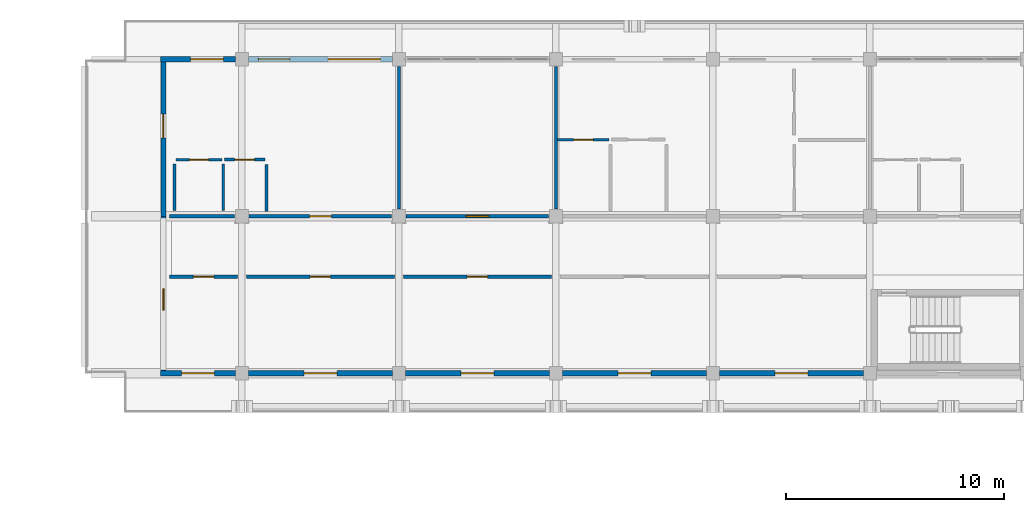
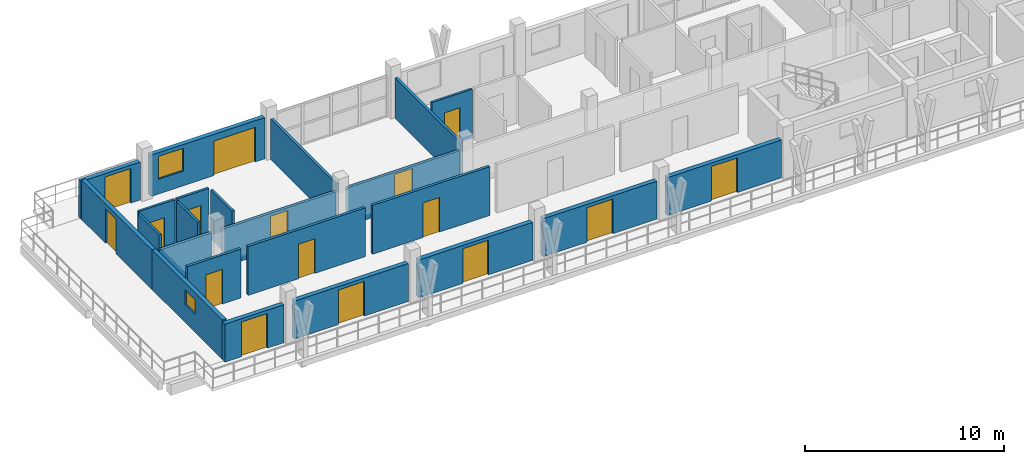
# One storey, part 38 of 67: 23 walls, 16 doors, 2 windows, 18 openings.
"""IFC4 building model written with IfcOpenShell, lengths in metres."""

from ifc_helpers import new_model, si_unit, direction, frame, frame_2d, origin, place, context, subcontext, project, spatial, rectangle, extrude, material, layer, layer_set, type_object, element, fill, save


model = new_model("IFC4")

# Units and contexts
model_context = context("Model", 3, precision=1e-05, world=origin(), true_north=direction((0.0, 1.0)))
body_context = subcontext(model_context, "Body", "Model", "MODEL_VIEW")
ifc_project = project(units=[si_unit("LENGTHUNIT", "METRE"), si_unit("AREAUNIT", "SQUARE_METRE"), si_unit("VOLUMEUNIT", "CUBIC_METRE"), si_unit("PLANEANGLEUNIT", "RADIAN"), si_unit("MASSUNIT", "GRAM", prefix="KILO")], contexts=[model_context])

# Site, building, storey
site_placement = place(None, origin())
site = spatial("IfcSite", under=ifc_project, at=site_placement, CompositionType="ELEMENT")
building_placement = place(site_placement, origin())
building = spatial("IfcBuilding", under=site, at=building_placement, Name="Suanplinth Sawtooth Commons", CompositionType="ELEMENT")
storey_placement = place(building_placement, frame((0.0, 0.0, 25.10009765625)))
storey = spatial("IfcBuildingStorey", under=building, at=storey_placement, Name="L07", CompositionType="ELEMENT", Elevation=25.10009765625)

# Wall, opening, door
ifc_material_1 = material(Name="Precast concrete C40/50", Category="concrete")
ifc_layer_1 = layer(ifc_material_1, 0.260009765625, Name="Insulated precast courtyard facade wall 260mm")
ifc_layer_set_1 = layer_set([ifc_layer_1], Name="Precast concrete C40/50")
wall_type_1 = type_object("IfcWallType", Name="W-EX02", PredefinedType="ELEMENTEDWALL", material=ifc_layer_set_1)
wall_1_placement = place(storey_placement, frame((10.669921875, 122.39990234375, 0.0), z_axis=(0.0, 0.0, 1.0), x_axis=(1.0, 0.0, 0.0)))
wall_1 = element("IfcWall", 1, at=wall_1_placement, inside=storey, type_object=wall_type_1, Name="Facade Wall W-L07-A-N-0", PredefinedType="ELEMENTEDWALL", context=body_context, shape_type="SweptSolid", body=[
    extrude(rectangle(XDim=3.43017578125, YDim=0.260009765625, at=frame_2d((1.715087890625, 0.0))), origin(), (0.0, 0.0, 1.0), 2.324951171875),
])
opening_1_placement = place(wall_1_placement, frame((1.3798828125, 0.0, 0.0)))
opening_1 = element("IfcOpeningElement", 2, at=opening_1_placement, cuts=wall_1, Name="Opening ED0551", PredefinedType="OPENING", context=body_context, shape_type="SweptSolid", body=[
    extrude(rectangle(XDim=1.5, YDim=2.1201171875, at=frame_2d((0.75, 1.06005859375))), frame((0.0, 0.14501953125, 0.0), z_axis=(0.0, -1.0, 0.0), x_axis=(1.0, 0.0, 0.0)), (0.0, 0.0, 1.0), 0.289794921875),
])
ifc_material_2 = material(Name="Anodized aluminium and low-E glass", Category="aluminium")
door_type_1 = type_object("IfcDoorType", Name="SD-03", OperationType="SLIDING_TO_LEFT", PredefinedType="DOOR", material=ifc_material_2)
door_1_placement = place(opening_1_placement, frame((1.5, 0.0, 0.0), z_axis=(0.0, 0.0, 1.0), x_axis=(-1.0, 0.0, 0.0)))
door_1 = element("IfcDoor", 3, at=door_1_placement, inside=storey, type_object=door_type_1, Name="Balcony Sliding Door L07-A-N-0", OperationType="SLIDING_TO_LEFT", OverallHeight=2.1201171875, OverallWidth=1.5, PredefinedType="DOOR", context=body_context, shape_type="SweptSolid", body=[
    extrude(rectangle(XDim=1.5, YDim=2.1201171875, at=frame_2d((0.75, 1.06005859375))), frame((0.0, 0.02490234375, 0.0), z_axis=(0.0, -1.0, 0.0), x_axis=(1.0, 0.0, 0.0)), (0.0, 0.0, 1.0), 0.050048828125),
])
fill(opening_1, door_1)

wall_2_placement = place(storey_placement, frame((10.669921875, 108.0, 0.0), z_axis=(0.0, 0.0, 1.0), x_axis=(1.0, 0.0, 0.0)))
wall_2 = element("IfcWall", 4, at=wall_2_placement, inside=storey, type_object=wall_type_1, Name="Courtyard Wall W-L07-A-S-0", PredefinedType="ELEMENTEDWALL", context=body_context, shape_type="SweptSolid", body=[
    extrude(rectangle(XDim=3.43017578125, YDim=0.260009765625, at=frame_2d((1.715087890625, 0.0))), origin(), (0.0, 0.0, 1.0), 2.324951171875),
])
opening_2_placement = place(wall_2_placement, frame((0.965087890625, 0.0, 0.0)))
opening_2 = element("IfcOpeningElement", 5, at=opening_2_placement, cuts=wall_2, Name="Opening ED0552", PredefinedType="OPENING", context=body_context, shape_type="SweptSolid", body=[
    extrude(rectangle(XDim=1.5, YDim=2.1201171875, at=frame_2d((0.75, 1.06005859375))), frame((0.0, 0.14501953125, 0.0), z_axis=(0.0, -1.0, 0.0), x_axis=(1.0, 0.0, 0.0)), (0.0, 0.0, 1.0), 0.289794921875),
])
door_2_placement = place(opening_2_placement, frame((1.5, 0.0, 0.0), z_axis=(0.0, 0.0, 1.0), x_axis=(-1.0, 0.0, 0.0)))
door_2 = element("IfcDoor", 6, at=door_2_placement, inside=storey, type_object=door_type_1, Name="Courtyard Balcony Sliding Door L07-A-S-0", OperationType="SLIDING_TO_LEFT", OverallHeight=2.1201171875, OverallWidth=1.5, PredefinedType="DOOR", context=body_context, shape_type="SweptSolid", body=[
    extrude(rectangle(XDim=1.5, YDim=2.1201171875, at=frame_2d((0.75, 1.06005859375))), frame((0.0, 0.02490234375, 0.0), z_axis=(0.0, -1.0, 0.0), x_axis=(1.0, 0.0, 0.0)), (0.0, 0.0, 1.0), 0.050048828125),
])
fill(opening_2, door_2)

# Wall, openings, door, window
wall_3_placement = place(storey_placement, frame((14.699951171875, 122.39990234375, 0.0), z_axis=(0.0, 0.0, 1.0), x_axis=(1.0, 0.0, 0.0)))
wall_3 = element("IfcWall", 7, at=wall_3_placement, inside=storey, type_object=wall_type_1, Name="Facade Wall W-L07-A-N-1", PredefinedType="ELEMENTEDWALL", context=body_context, shape_type="SweptSolid", body=[
    extrude(rectangle(XDim=6.60009765625, YDim=0.260009765625, at=frame_2d((3.300048828125, 0.0))), origin(), (0.0, 0.0, 1.0), 2.52490234375),
])
opening_3_placement = place(wall_3_placement, frame((3.64990234375, 0.0, 0.0)))
opening_3 = element("IfcOpeningElement", 8, at=opening_3_placement, cuts=wall_3, Name="Opening ED0553", PredefinedType="OPENING", context=body_context, shape_type="SweptSolid", body=[
    extrude(rectangle(XDim=2.39990234375, YDim=2.1201171875, at=frame_2d((1.199951171875, 1.06005859375))), frame((0.0, 0.14501953125, 0.0), z_axis=(0.0, -1.0, 0.0), x_axis=(1.0, 0.0, 0.0)), (0.0, 0.0, 1.0), 0.289794921875),
])
opening_4_placement = place(wall_3_placement, frame((0.449951171875, 0.0, 0.89990234375)))
opening_4 = element("IfcOpeningElement", 9, at=opening_4_placement, cuts=wall_3, Name="Opening W0638", PredefinedType="OPENING", context=body_context, shape_type="SweptSolid", body=[
    extrude(rectangle(XDim=1.449951171875, YDim=1.39990234375, at=frame_2d((0.72509765625, 0.699951171875))), frame((0.0, 0.14501953125, 0.0), z_axis=(0.0, -1.0, 0.0), x_axis=(1.0, 0.0, 0.0)), (0.0, 0.0, 1.0), 0.289794921875),
])
door_type_2 = type_object("IfcDoorType", Name="SD-04", OperationType="DOUBLE_DOOR_SLIDING", PredefinedType="DOOR", material=ifc_material_2)
door_3_placement = place(opening_3_placement, frame((2.39990234375, 0.0, 0.0), z_axis=(0.0, 0.0, 1.0), x_axis=(-1.0, 0.0, 0.0)))
door_3 = element("IfcDoor", 10, at=door_3_placement, inside=storey, type_object=door_type_2, Name="Balcony Sliding Door L07-A-N-1", OperationType="DOUBLE_DOOR_SLIDING", OverallHeight=2.1201171875, OverallWidth=2.39990234375, PredefinedType="DOOR", context=body_context, shape_type="SweptSolid", body=[
    extrude(rectangle(XDim=2.39990234375, YDim=2.1201171875, at=frame_2d((1.199951171875, 1.06005859375))), frame((0.0, 0.02490234375, 0.0), z_axis=(0.0, -1.0, 0.0), x_axis=(1.0, 0.0, 0.0)), (0.0, 0.0, 1.0), 0.050048828125),
])
fill(opening_3, door_3)
ifc_material_3 = material(Name="Thermally broken aluminium and low-E double glazing", Category="aluminium")
window_type_1 = type_object("IfcWindowType", Name="WN-16", PartitioningType="DOUBLE_PANEL_VERTICAL", PredefinedType="WINDOW", material=ifc_material_3)
window_1_placement = place(opening_4_placement, origin())
window_1 = element("IfcWindow", 11, at=window_1_placement, inside=storey, type_object=window_type_1, Name="Window L07-A-N-1", OverallHeight=1.39990234375, OverallWidth=1.449951171875, PartitioningType="DOUBLE_PANEL_VERTICAL", PredefinedType="WINDOW", context=body_context, shape_type="SweptSolid", body=[
    extrude(rectangle(XDim=1.449951171875, YDim=1.39990234375, at=frame_2d((0.72509765625, 0.699951171875))), frame((0.0, 0.030029296875, 0.0), z_axis=(0.0, -1.0, 0.0), x_axis=(1.0, 0.0, 0.0)), (0.0, 0.0, 1.0), 0.06005859375),
])
fill(opening_4, window_1)

# Wall, opening, door
wall_4_placement = place(storey_placement, frame((14.699951171875, 108.0, 0.0), z_axis=(0.0, 0.0, 1.0), x_axis=(1.0, 0.0, 0.0)))
wall_4 = element("IfcWall", 12, at=wall_4_placement, inside=storey, type_object=wall_type_1, Name="Courtyard Wall W-L07-A-S-1", PredefinedType="ELEMENTEDWALL", context=body_context, shape_type="SweptSolid", body=[
    extrude(rectangle(XDim=6.60009765625, YDim=0.260009765625, at=frame_2d((3.300048828125, 0.0))), origin(), (0.0, 0.0, 1.0), 2.324951171875),
])
opening_5_placement = place(wall_4_placement, frame((2.550048828125, 0.0, 0.0)))
opening_5 = element("IfcOpeningElement", 13, at=opening_5_placement, cuts=wall_4, Name="Opening ED0554", PredefinedType="OPENING", context=body_context, shape_type="SweptSolid", body=[
    extrude(rectangle(XDim=1.5, YDim=2.1201171875, at=frame_2d((0.75, 1.06005859375))), frame((0.0, 0.14501953125, 0.0), z_axis=(0.0, -1.0, 0.0), x_axis=(1.0, 0.0, 0.0)), (0.0, 0.0, 1.0), 0.289794921875),
])
door_4_placement = place(opening_5_placement, frame((1.5, 0.0, 0.0), z_axis=(0.0, 0.0, 1.0), x_axis=(-1.0, 0.0, 0.0)))
door_4 = element("IfcDoor", 14, at=door_4_placement, inside=storey, type_object=door_type_1, Name="Courtyard Balcony Sliding Door L07-A-S-1", OperationType="SLIDING_TO_LEFT", OverallHeight=2.1201171875, OverallWidth=1.5, PredefinedType="DOOR", context=body_context, shape_type="SweptSolid", body=[
    extrude(rectangle(XDim=1.5, YDim=2.1201171875, at=frame_2d((0.75, 1.06005859375))), frame((0.0, 0.02490234375, 0.0), z_axis=(0.0, -1.0, 0.0), x_axis=(1.0, 0.0, 0.0)), (0.0, 0.0, 1.0), 0.050048828125),
])
fill(opening_5, door_4)

wall_5_placement = place(storey_placement, frame((21.89990234375, 108.0, 0.0), z_axis=(0.0, 0.0, 1.0), x_axis=(1.0, 0.0, 0.0)))
wall_5 = element("IfcWall", 15, at=wall_5_placement, inside=storey, type_object=wall_type_1, Name="Courtyard Wall W-L07-A-S-2", PredefinedType="ELEMENTEDWALL", context=body_context, shape_type="SweptSolid", body=[
    extrude(rectangle(XDim=6.60009765625, YDim=0.260009765625, at=frame_2d((3.300048828125, 0.0))), origin(), (0.0, 0.0, 1.0), 2.324951171875),
])
opening_6_placement = place(wall_5_placement, frame((2.550048828125, 0.0, 0.0)))
opening_6 = element("IfcOpeningElement", 16, at=opening_6_placement, cuts=wall_5, Name="Opening ED0555", PredefinedType="OPENING", context=body_context, shape_type="SweptSolid", body=[
    extrude(rectangle(XDim=1.5, YDim=2.1201171875, at=frame_2d((0.75, 1.06005859375))), frame((0.0, 0.14501953125, 0.0), z_axis=(0.0, -1.0, 0.0), x_axis=(1.0, 0.0, 0.0)), (0.0, 0.0, 1.0), 0.289794921875),
])
door_5_placement = place(opening_6_placement, frame((1.5, 0.0, 0.0), z_axis=(0.0, 0.0, 1.0), x_axis=(-1.0, 0.0, 0.0)))
door_5 = element("IfcDoor", 17, at=door_5_placement, inside=storey, type_object=door_type_1, Name="Courtyard Balcony Sliding Door L07-A-S-2", OperationType="SLIDING_TO_LEFT", OverallHeight=2.1201171875, OverallWidth=1.5, PredefinedType="DOOR", context=body_context, shape_type="SweptSolid", body=[
    extrude(rectangle(XDim=1.5, YDim=2.1201171875, at=frame_2d((0.75, 1.06005859375))), frame((0.0, 0.02490234375, 0.0), z_axis=(0.0, -1.0, 0.0), x_axis=(1.0, 0.0, 0.0)), (0.0, 0.0, 1.0), 0.050048828125),
])
fill(opening_6, door_5)

wall_6_placement = place(storey_placement, frame((29.10009765625, 108.0, 0.0), z_axis=(0.0, 0.0, 1.0), x_axis=(1.0, 0.0, 0.0)))
wall_6 = element("IfcWall", 18, at=wall_6_placement, inside=storey, type_object=wall_type_1, Name="Courtyard Wall W-L07-A-S-3", PredefinedType="ELEMENTEDWALL", context=body_context, shape_type="SweptSolid", body=[
    extrude(rectangle(XDim=6.599853515625, YDim=0.260009765625, at=frame_2d((3.2998046875, 0.0))), origin(), (0.0, 0.0, 1.0), 2.324951171875),
])
opening_7_placement = place(wall_6_placement, frame((2.550048828125, 0.0, 0.0)))
opening_7 = element("IfcOpeningElement", 19, at=opening_7_placement, cuts=wall_6, Name="Opening ED0557", PredefinedType="OPENING", context=body_context, shape_type="SweptSolid", body=[
    extrude(rectangle(XDim=1.5, YDim=2.1201171875, at=frame_2d((0.75, 1.06005859375))), frame((0.0, 0.14501953125, 0.0), z_axis=(0.0, -1.0, 0.0), x_axis=(1.0, 0.0, 0.0)), (0.0, 0.0, 1.0), 0.289794921875),
])
door_6_placement = place(opening_7_placement, frame((1.5, 0.0, 0.0), z_axis=(0.0, 0.0, 1.0), x_axis=(-1.0, 0.0, 0.0)))
door_6 = element("IfcDoor", 20, at=door_6_placement, inside=storey, type_object=door_type_1, Name="Courtyard Balcony Sliding Door L07-A-S-3", OperationType="SLIDING_TO_LEFT", OverallHeight=2.1201171875, OverallWidth=1.5, PredefinedType="DOOR", context=body_context, shape_type="SweptSolid", body=[
    extrude(rectangle(XDim=1.5, YDim=2.1201171875, at=frame_2d((0.75, 1.06005859375))), frame((0.0, 0.02490234375, 0.0), z_axis=(0.0, -1.0, 0.0), x_axis=(1.0, 0.0, 0.0)), (0.0, 0.0, 1.0), 0.050048828125),
])
fill(opening_7, door_6)

wall_7_placement = place(storey_placement, frame((36.300048828125, 108.0, 0.0), z_axis=(0.0, 0.0, 1.0), x_axis=(1.0, 0.0, 0.0)))
wall_7 = element("IfcWall", 21, at=wall_7_placement, inside=storey, type_object=wall_type_1, Name="Courtyard Wall W-L07-A-S-4", PredefinedType="ELEMENTEDWALL", context=body_context, shape_type="SweptSolid", body=[
    extrude(rectangle(XDim=6.599853515625, YDim=0.260009765625, at=frame_2d((3.2998046875, 0.0))), origin(), (0.0, 0.0, 1.0), 2.324951171875),
])
opening_8_placement = place(wall_7_placement, frame((2.550048828125, 0.0, 0.0)))
opening_8 = element("IfcOpeningElement", 22, at=opening_8_placement, cuts=wall_7, Name="Opening ED0559", PredefinedType="OPENING", context=body_context, shape_type="SweptSolid", body=[
    extrude(rectangle(XDim=1.5, YDim=2.1201171875, at=frame_2d((0.75, 1.06005859375))), frame((0.0, 0.14501953125, 0.0), z_axis=(0.0, -1.0, 0.0), x_axis=(1.0, 0.0, 0.0)), (0.0, 0.0, 1.0), 0.289794921875),
])
door_7_placement = place(opening_8_placement, frame((1.5, 0.0, 0.0), z_axis=(0.0, 0.0, 1.0), x_axis=(-1.0, 0.0, 0.0)))
door_7 = element("IfcDoor", 23, at=door_7_placement, inside=storey, type_object=door_type_1, Name="Courtyard Balcony Sliding Door L07-A-S-4", OperationType="SLIDING_TO_LEFT", OverallHeight=2.1201171875, OverallWidth=1.5, PredefinedType="DOOR", context=body_context, shape_type="SweptSolid", body=[
    extrude(rectangle(XDim=1.5, YDim=2.1201171875, at=frame_2d((0.75, 1.06005859375))), frame((0.0, 0.02490234375, 0.0), z_axis=(0.0, -1.0, 0.0), x_axis=(1.0, 0.0, 0.0)), (0.0, 0.0, 1.0), 0.050048828125),
])
fill(opening_8, door_7)

# Wall, opening, window
ifc_layer_2 = layer(ifc_material_1, 0.22998046875, Name="Stepped terrace insulated precast wall 230mm")
ifc_layer_set_2 = layer_set([ifc_layer_2], Name="Precast concrete C40/50")
wall_type_2 = type_object("IfcWallType", Name="W-EX06", PredefinedType="ELEMENTEDWALL", material=ifc_layer_set_2)
wall_8_placement = place(storey_placement, frame((10.800048828125, 108.1298828125, 0.0), z_axis=(0.0, 0.0, 1.0), x_axis=(0.0, 1.0, 0.0)))
wall_8 = element("IfcWall", 24, at=wall_8_placement, inside=storey, type_object=wall_type_2, Name="End Wall W-L07-A-W-15", PredefinedType="ELEMENTEDWALL", context=body_context, shape_type="SweptSolid", body=[
    extrude(rectangle(XDim=7.070068359375, YDim=0.22998046875, at=frame_2d((3.53515625, 0.0))), origin(), (0.0, 0.0, 1.0), 2.4248046875),
])
opening_9_placement = place(wall_8_placement, frame((2.75, 0.0, 1.10009765625)))
opening_9 = element("IfcOpeningElement", 25, at=opening_9_placement, cuts=wall_8, Name="Opening W0650", PredefinedType="OPENING", context=body_context, shape_type="SweptSolid", body=[
    extrude(rectangle(XDim=1.0, YDim=0.89990234375, at=frame_2d((0.5, 0.449951171875))), frame((0.0, 0.1298828125, 0.0), z_axis=(0.0, -1.0, 0.0), x_axis=(1.0, 0.0, 0.0)), (0.0, 0.0, 1.0), 0.259765625),
])
window_type_2 = type_object("IfcWindowType", Name="WN-12", PartitioningType="SINGLE_PANEL", PredefinedType="WINDOW", material=ifc_material_3)
window_2_placement = place(opening_9_placement, origin())
window_2 = element("IfcWindow", 26, at=window_2_placement, inside=storey, type_object=window_type_2, Name="End Window L07-A-W-15", OverallHeight=0.89990234375, OverallWidth=1.0, PartitioningType="SINGLE_PANEL", PredefinedType="WINDOW", context=body_context, shape_type="SweptSolid", body=[
    extrude(rectangle(XDim=1.0, YDim=0.89990234375, at=frame_2d((0.5, 0.449951171875))), frame((0.0, 0.030029296875, 0.0), z_axis=(0.0, -1.0, 0.0), x_axis=(1.0, 0.0, 0.0)), (0.0, 0.0, 1.0), 0.06005859375),
])
fill(opening_9, window_2)

# Wall, opening, door
wall_9_placement = place(storey_placement, frame((10.800048828125, 115.199951171875, 0.0), z_axis=(0.0, 0.0, 1.0), x_axis=(0.0, 1.0, 0.0)))
wall_9 = element("IfcWall", 27, at=wall_9_placement, inside=storey, type_object=wall_type_2, Name="End Wall W-L07-A-W-16", PredefinedType="ELEMENTEDWALL", context=body_context, shape_type="SweptSolid", body=[
    extrude(rectangle(XDim=7.070068359375, YDim=0.22998046875, at=frame_2d((3.53515625, 0.0))), origin(), (0.0, 0.0, 1.0), 2.4248046875),
])
opening_10_placement = place(wall_9_placement, frame((3.60009765625, 0.0, 0.0)))
opening_10 = element("IfcOpeningElement", 28, at=opening_10_placement, cuts=wall_9, Name="Opening ED0571", PredefinedType="OPENING", context=body_context, shape_type="SweptSolid", body=[
    extrude(rectangle(XDim=1.080078125, YDim=2.1201171875, at=frame_2d((0.5400390625, 1.06005859375))), frame((0.0, 0.1298828125, 0.0), z_axis=(0.0, -1.0, 0.0), x_axis=(1.0, 0.0, 0.0)), (0.0, 0.0, 1.0), 0.259765625),
])
door_type_3 = type_object("IfcDoorType", Name="ED-10", OperationType="NOTDEFINED", PredefinedType="DOOR", material=ifc_material_2)
door_8_placement = place(opening_10_placement, frame((1.080078125, 0.0, 0.0), z_axis=(0.0, 0.0, 1.0), x_axis=(-1.0, 0.0, 0.0)))
door_8 = element("IfcDoor", 29, at=door_8_placement, inside=storey, type_object=door_type_3, Name="L07 Block A W Stepped Terrace Door", OperationType="SINGLE_SWING_RIGHT", OverallHeight=2.1201171875, OverallWidth=1.080078125, PredefinedType="DOOR", context=body_context, shape_type="SweptSolid", body=[
    extrude(rectangle(XDim=1.080078125, YDim=2.1201171875, at=frame_2d((0.5400390625, 1.06005859375))), frame((0.0, 0.02490234375, 0.0), z_axis=(0.0, -1.0, 0.0), x_axis=(1.0, 0.0, 0.0)), (0.0, 0.0, 1.0), 0.050048828125),
])
fill(opening_10, door_8)

# Wall
ifc_layer_3 = layer(ifc_material_1, 0.159912109375, Name="Fire-rated corridor and lobby wall 160mm")
ifc_layer_set_3 = layer_set([ifc_layer_3], Name="Precast concrete C40/50")
wall_type_3 = type_object("IfcWallType", Name="W-FW01", PredefinedType="PARTITIONING", material=ifc_layer_set_3)
wall_10_placement = place(storey_placement, frame((11.080078125, 115.199951171875, 0.0), z_axis=(0.0, 0.0, 1.0), x_axis=(1.0, 0.0, 0.0)))
element("IfcWall", 30, at=wall_10_placement, inside=storey, type_object=wall_type_3, Name="W-A-L07-U01-COR-S1", PredefinedType="PARTITIONING", context=body_context, shape_type="SweptSolid", body=[
    extrude(rectangle(XDim=2.989990234375, YDim=0.159912109375, at=frame_2d((1.4951171875, 0.0))), origin(), (0.0, 0.0, 1.0), 2.324951171875),
])

# Wall, opening, door
wall_11_placement = place(storey_placement, frame((14.72998046875, 115.199951171875, 0.0), z_axis=(0.0, 0.0, 1.0), x_axis=(1.0, 0.0, 0.0)))
wall_11 = element("IfcWall", 31, at=wall_11_placement, inside=storey, type_object=wall_type_3, Name="W-A-L07-U01-COR-S2", PredefinedType="PARTITIONING", context=body_context, shape_type="SweptSolid", body=[
    extrude(rectangle(XDim=6.5400390625, YDim=0.159912109375, at=frame_2d((3.27001953125, 0.0))), origin(), (0.0, 0.0, 1.0), 2.324951171875),
])
opening_11_placement = place(wall_11_placement, frame((2.77001953125, 0.0, 0.0)))
opening_11 = element("IfcOpeningElement", 32, at=opening_11_placement, cuts=wall_11, Name="Opening FD1501", PredefinedType="OPENING", context=body_context, shape_type="SweptSolid", body=[
    extrude(rectangle(XDim=1.0, YDim=2.14990234375, at=frame_2d((0.5, 1.074951171875))), frame((0.0, 0.0947265625, 0.0), z_axis=(0.0, -1.0, 0.0), x_axis=(1.0, 0.0, 0.0)), (0.0, 0.0, 1.0), 0.189697265625),
])
ifc_material_4 = material(Name="Teak hardwood fire-rated door assembly", Category="wood")
door_type_4 = type_object("IfcDoorType", Name="FD-03", OperationType="NOTDEFINED", PredefinedType="DOOR", material=ifc_material_4)
door_9_placement = place(opening_11_placement, origin())
door_9 = element("IfcDoor", 33, at=door_9_placement, inside=storey, type_object=door_type_4, Name="Unit Entrance Door FD1501", OperationType="SINGLE_SWING_LEFT", OverallHeight=2.14990234375, OverallWidth=1.0, PredefinedType="DOOR", context=body_context, shape_type="SweptSolid", body=[
    extrude(rectangle(XDim=1.0, YDim=2.14990234375, at=frame_2d((0.5, 1.074951171875))), frame((0.0, 0.02490234375, 0.0), z_axis=(0.0, -1.0, 0.0), x_axis=(1.0, 0.0, 0.0)), (0.0, 0.0, 1.0), 0.050048828125),
])
fill(opening_11, door_9)

wall_12_placement = place(storey_placement, frame((21.929931640625, 115.199951171875, 0.0), z_axis=(0.0, 0.0, 1.0), x_axis=(1.0, 0.0, 0.0)))
wall_12 = element("IfcWall", 34, at=wall_12_placement, inside=storey, type_object=wall_type_3, Name="W-A-L07-U02-COR", PredefinedType="PARTITIONING", context=body_context, shape_type="SweptSolid", body=[
    extrude(rectangle(XDim=6.5400390625, YDim=0.159912109375, at=frame_2d((3.27001953125, 0.0))), origin(), (0.0, 0.0, 1.0), 2.324951171875),
])
opening_12_placement = place(wall_12_placement, frame((2.7451171875, 0.0, 0.0)))
opening_12 = element("IfcOpeningElement", 35, at=opening_12_placement, cuts=wall_12, Name="Opening D1504", PredefinedType="OPENING", context=body_context, shape_type="SweptSolid", body=[
    extrude(rectangle(XDim=1.050048828125, YDim=2.199951171875, at=frame_2d((0.52490234375, 1.10009765625))), frame((0.0, 0.0947265625, 0.0), z_axis=(0.0, -1.0, 0.0), x_axis=(1.0, 0.0, 0.0)), (0.0, 0.0, 1.0), 0.189697265625),
])
ifc_material_5 = material(Name="Teak hardwood", Category="wood")
door_type_5 = type_object("IfcDoorType", Name="D-05", OperationType="NOTDEFINED", PredefinedType="DOOR", material=ifc_material_5)
door_10_placement = place(opening_12_placement, origin())
door_10 = element("IfcDoor", 36, at=door_10_placement, inside=storey, type_object=door_type_5, Name="Unit Entrance Door D1504", OperationType="SINGLE_SWING_RIGHT", OverallHeight=2.199951171875, OverallWidth=1.050048828125, PredefinedType="DOOR", context=body_context, shape_type="SweptSolid", body=[
    extrude(rectangle(XDim=1.050048828125, YDim=2.199951171875, at=frame_2d((0.52490234375, 1.10009765625))), frame((0.0, 0.02490234375, 0.0), z_axis=(0.0, -1.0, 0.0), x_axis=(1.0, 0.0, 0.0)), (0.0, 0.0, 1.0), 0.050048828125),
])
fill(opening_12, door_10)

wall_13_placement = place(storey_placement, frame((11.080078125, 112.419921875, 0.0), z_axis=(0.0, 0.0, 1.0), x_axis=(1.0, 0.0, 0.0)))
wall_13 = element("IfcWall", 37, at=wall_13_placement, inside=storey, type_object=wall_type_3, Name="W-A-L07-COURTROOM-10-COR", PredefinedType="PARTITIONING", context=body_context, shape_type="SweptSolid", body=[
    extrude(rectangle(XDim=3.119873046875, YDim=0.159912109375, at=frame_2d((1.56005859375, 0.0))), origin(), (0.0, 0.0, 1.0), 2.989990234375),
])
opening_13_placement = place(wall_13_placement, frame((1.090087890625, 0.0, 0.0)))
opening_13 = element("IfcOpeningElement", 38, at=opening_13_placement, cuts=wall_13, Name="Opening D1533", PredefinedType="OPENING", context=body_context, shape_type="SweptSolid", body=[
    extrude(rectangle(XDim=0.93994140625, YDim=2.1201171875, at=frame_2d((0.469970703125, 1.06005859375))), frame((0.0, 0.0947265625, 0.0), z_axis=(0.0, -1.0, 0.0), x_axis=(1.0, 0.0, 0.0)), (0.0, 0.0, 1.0), 0.189697265625),
])
door_type_6 = type_object("IfcDoorType", Name="D-15", OperationType="NOTDEFINED", PredefinedType="DOOR", material=ifc_material_5)
door_11_placement = place(opening_13_placement, frame((0.93994140625, 0.0, 0.0), z_axis=(0.0, 0.0, 1.0), x_axis=(-1.0, 0.0, 0.0)))
door_11 = element("IfcDoor", 39, at=door_11_placement, inside=storey, type_object=door_type_6, Name="Study Studio Door D1533", OperationType="SINGLE_SWING_LEFT", OverallHeight=2.1201171875, OverallWidth=0.93994140625, PredefinedType="DOOR", context=body_context, shape_type="SweptSolid", body=[
    extrude(rectangle(XDim=0.93994140625, YDim=2.1201171875, at=frame_2d((0.469970703125, 1.06005859375))), frame((0.0, 0.02490234375, 0.0), z_axis=(0.0, -1.0, 0.0), x_axis=(1.0, 0.0, 0.0)), (0.0, 0.0, 1.0), 0.050048828125),
])
fill(opening_13, door_11)

wall_14_placement = place(storey_placement, frame((14.60009765625, 112.419921875, 0.0), z_axis=(0.0, 0.0, 1.0), x_axis=(1.0, 0.0, 0.0)))
wall_14 = element("IfcWall", 40, at=wall_14_placement, inside=storey, type_object=wall_type_3, Name="W-A-L07-COURTROOM-11-COR", PredefinedType="PARTITIONING", context=body_context, shape_type="SweptSolid", body=[
    extrude(rectangle(XDim=6.7998046875, YDim=0.159912109375, at=frame_2d((3.39990234375, 0.0))), origin(), (0.0, 0.0, 1.0), 2.989990234375),
])
opening_14_placement = place(wall_14_placement, frame((2.929931640625, 0.0, 0.0)))
opening_14 = element("IfcOpeningElement", 41, at=opening_14_placement, cuts=wall_14, Name="Opening D1534", PredefinedType="OPENING", context=body_context, shape_type="SweptSolid", body=[
    extrude(rectangle(XDim=0.93994140625, YDim=2.1201171875, at=frame_2d((0.469970703125, 1.06005859375))), frame((0.0, 0.0947265625, 0.0), z_axis=(0.0, -1.0, 0.0), x_axis=(1.0, 0.0, 0.0)), (0.0, 0.0, 1.0), 0.189697265625),
])
door_12_placement = place(opening_14_placement, frame((0.93994140625, 0.0, 0.0), z_axis=(0.0, 0.0, 1.0), x_axis=(-1.0, 0.0, 0.0)))
door_12 = element("IfcDoor", 42, at=door_12_placement, inside=storey, type_object=door_type_6, Name="Study Studio Door D1534", OperationType="SINGLE_SWING_RIGHT", OverallHeight=2.1201171875, OverallWidth=0.93994140625, PredefinedType="DOOR", context=body_context, shape_type="SweptSolid", body=[
    extrude(rectangle(XDim=0.93994140625, YDim=2.1201171875, at=frame_2d((0.469970703125, 1.06005859375))), frame((0.0, 0.02490234375, 0.0), z_axis=(0.0, -1.0, 0.0), x_axis=(1.0, 0.0, 0.0)), (0.0, 0.0, 1.0), 0.050048828125),
])
fill(opening_14, door_12)

wall_15_placement = place(storey_placement, frame((21.800048828125, 112.419921875, 0.0), z_axis=(0.0, 0.0, 1.0), x_axis=(1.0, 0.0, 0.0)))
wall_15 = element("IfcWall", 43, at=wall_15_placement, inside=storey, type_object=wall_type_3, Name="W-A-L07-COURTROOM-12-COR", PredefinedType="PARTITIONING", context=body_context, shape_type="SweptSolid", body=[
    extrude(rectangle(XDim=6.800048828125, YDim=0.159912109375, at=frame_2d((3.39990234375, 0.0))), origin(), (0.0, 0.0, 1.0), 2.989990234375),
])
opening_15_placement = place(wall_15_placement, frame((2.929931640625, 0.0, 0.0)))
opening_15 = element("IfcOpeningElement", 44, at=opening_15_placement, cuts=wall_15, Name="Opening D1535", PredefinedType="OPENING", context=body_context, shape_type="SweptSolid", body=[
    extrude(rectangle(XDim=0.93994140625, YDim=2.1201171875, at=frame_2d((0.469970703125, 1.06005859375))), frame((0.0, 0.0947265625, 0.0), z_axis=(0.0, -1.0, 0.0), x_axis=(1.0, 0.0, 0.0)), (0.0, 0.0, 1.0), 0.189697265625),
])
door_13_placement = place(opening_15_placement, frame((0.93994140625, 0.0, 0.0), z_axis=(0.0, 0.0, 1.0), x_axis=(-1.0, 0.0, 0.0)))
door_13 = element("IfcDoor", 45, at=door_13_placement, inside=storey, type_object=door_type_6, Name="Study Studio Door D1535", OperationType="SINGLE_SWING_LEFT", OverallHeight=2.1201171875, OverallWidth=0.93994140625, PredefinedType="DOOR", context=body_context, shape_type="SweptSolid", body=[
    extrude(rectangle(XDim=0.93994140625, YDim=2.1201171875, at=frame_2d((0.469970703125, 1.06005859375))), frame((0.0, 0.02490234375, 0.0), z_axis=(0.0, -1.0, 0.0), x_axis=(1.0, 0.0, 0.0)), (0.0, 0.0, 1.0), 0.050048828125),
])
fill(opening_15, door_13)

# Walls
ifc_layer_4 = layer(ifc_material_1, 0.14990234375, Name="Acoustic precast party demising wall 150mm")
ifc_layer_set_4 = layer_set([ifc_layer_4], Name="Precast concrete C40/50")
wall_type_4 = type_object("IfcWallType", Name="W-FW02", PredefinedType="PARTITIONING", material=ifc_layer_set_4)
for number, where, z_axis, x_axis, name in (
    (46, (21.60009765625, 115.530029296875, 0.0), (0.0, 0.0, 1.0), (0.0, 1.0, 0.0), "W-A-L07-U01-PTY"),
    (47, (28.800048828125, 115.530029296875, 0.0), (0.0, 0.0, 1.0), (0.0, 1.0, 0.0), "W-A-L07-U02-PTY"),
):
    element("IfcWall", number, at=place(storey_placement, frame(where, z_axis=z_axis, x_axis=x_axis)), inside=storey, type_object=wall_type_4, Name=name, PredefinedType="PARTITIONING", context=body_context, shape_type="SweptSolid", body=[
        extrude(rectangle(XDim=6.5400390625, YDim=0.14990234375, at=frame_2d((3.27001953125, 0.0))), origin(), (0.0, 0.0, 1.0), 2.474853515625),
    ])

# Wall, opening, door
ifc_material_6 = material(Name="Gypsum plasterboard on steel stud", Category="steel")
ifc_layer_5 = layer(ifc_material_6, 0.139892578125, Name="Fire-rated kitchen partition 140mm")
ifc_layer_set_5 = layer_set([ifc_layer_5], Name="Gypsum plasterboard on steel stud")
wall_type_5 = type_object("IfcWallType", Name="W-PT01", PredefinedType="PARTITIONING", material=ifc_layer_set_5)
wall_16_placement = place(storey_placement, frame((13.60009765625, 117.800048828125, 0.0), z_axis=(0.0, 0.0, 1.0), x_axis=(1.0, 0.0, 0.0)))
wall_16 = element("IfcWall", 48, at=wall_16_placement, inside=storey, type_object=wall_type_5, Name="W-A-L07-U01-KIT1", PredefinedType="PARTITIONING", context=body_context, shape_type="SweptSolid", body=[
    extrude(rectangle(XDim=1.849853515625, YDim=0.139892578125, at=frame_2d((0.9248046875, 0.0))), origin(), (0.0, 0.0, 1.0), 2.989990234375),
])
opening_16_placement = place(wall_16_placement, frame((0.465087890625, 0.0, 0.0)))
opening_16 = element("IfcOpeningElement", 49, at=opening_16_placement, cuts=wall_16, Name="Opening D1503", PredefinedType="OPENING", context=body_context, shape_type="SweptSolid", body=[
    extrude(rectangle(XDim=0.919921875, YDim=2.10009765625, at=frame_2d((0.4599609375, 1.050048828125))), frame((0.0, 0.0849609375, 0.0), z_axis=(0.0, -1.0, 0.0), x_axis=(1.0, 0.0, 0.0)), (0.0, 0.0, 1.0), 0.169677734375),
])
door_type_7 = type_object("IfcDoorType", Name="D-02", OperationType="NOTDEFINED", PredefinedType="DOOR", material=ifc_material_5)
door_14_placement = place(opening_16_placement, frame((0.919921875, 0.0, 0.0), z_axis=(0.0, 0.0, 1.0), x_axis=(-1.0, 0.0, 0.0)))
door_14 = element("IfcDoor", 50, at=door_14_placement, inside=storey, type_object=door_type_7, Name="Kitchen Door D1503", OperationType="SINGLE_SWING_LEFT", OverallHeight=2.10009765625, OverallWidth=0.919921875, PredefinedType="DOOR", context=body_context, shape_type="SweptSolid", body=[
    extrude(rectangle(XDim=0.919921875, YDim=2.10009765625, at=frame_2d((0.4599609375, 1.050048828125))), frame((0.0, 0.02490234375, 0.0), z_axis=(0.0, -1.0, 0.0), x_axis=(1.0, 0.0, 0.0)), (0.0, 0.0, 1.0), 0.050048828125),
])
fill(opening_16, door_14)

# Wall
wall_17_placement = place(storey_placement, frame((15.52001953125, 115.429931640625, 0.0), z_axis=(0.0, 0.0, 1.0), x_axis=(0.0, 1.0, 0.0)))
element("IfcWall", 51, at=wall_17_placement, inside=storey, type_object=wall_type_5, Name="W-A-L07-U01-KIT2", PredefinedType="PARTITIONING", context=body_context, shape_type="SweptSolid", body=[
    extrude(rectangle(XDim=2.150146484375, YDim=0.139892578125, at=frame_2d((1.0751953125, 0.0))), origin(), (0.0, 0.0, 1.0), 2.989990234375),
])

# Wall, opening, door
ifc_layer_6 = layer(ifc_material_6, 0.1298828125, Name="Moisture-resistant bathroom partition 130mm")
ifc_layer_set_6 = layer_set([ifc_layer_6], Name="Gypsum plasterboard on steel stud")
wall_type_6 = type_object("IfcWallType", Name="W-PT02", PredefinedType="PARTITIONING", material=ifc_layer_set_6)
wall_18_placement = place(storey_placement, frame((11.3798828125, 117.794921875, 0.0), z_axis=(0.0, 0.0, 1.0), x_axis=(1.0, 0.0, 0.0)))
wall_18 = element("IfcWall", 52, at=wall_18_placement, inside=storey, type_object=wall_type_6, Name="W-A-L07-U01-BTH1", PredefinedType="PARTITIONING", context=body_context, shape_type="SweptSolid", body=[
    extrude(rectangle(XDim=2.10009765625, YDim=0.1298828125, at=frame_2d((1.050048828125, 0.0))), origin(), (0.0, 0.0, 1.0), 2.989990234375),
])
opening_17_placement = place(wall_18_placement, frame((0.610107421875, 0.0, 0.0)))
opening_17 = element("IfcOpeningElement", 53, at=opening_17_placement, cuts=wall_18, Name="Opening D1502", PredefinedType="OPENING", context=body_context, shape_type="SweptSolid", body=[
    extrude(rectangle(XDim=0.8798828125, YDim=2.10009765625, at=frame_2d((0.43994140625, 1.050048828125))), frame((0.0, 0.079833984375, 0.0), z_axis=(0.0, -1.0, 0.0), x_axis=(1.0, 0.0, 0.0)), (0.0, 0.0, 1.0), 0.15966796875),
])
door_type_8 = type_object("IfcDoorType", Name="D-14", OperationType="NOTDEFINED", PredefinedType="DOOR", material=ifc_material_5)
door_15_placement = place(opening_17_placement, frame((0.8798828125, 0.0, 0.0), z_axis=(0.0, 0.0, 1.0), x_axis=(-1.0, 0.0, 0.0)))
door_15 = element("IfcDoor", 54, at=door_15_placement, inside=storey, type_object=door_type_8, Name="Bathroom Door D1502", OperationType="SINGLE_SWING_RIGHT", OverallHeight=2.10009765625, OverallWidth=0.8798828125, PredefinedType="DOOR", context=body_context, shape_type="SweptSolid", body=[
    extrude(rectangle(XDim=0.8798828125, YDim=2.10009765625, at=frame_2d((0.43994140625, 1.050048828125))), frame((0.0, 0.02490234375, 0.0), z_axis=(0.0, -1.0, 0.0), x_axis=(1.0, 0.0, 0.0)), (0.0, 0.0, 1.0), 0.050048828125),
])
fill(opening_17, door_15)

# Walls
for number, where, z_axis, x_axis, name in (
    (55, (13.544921875, 115.4599609375, 0.0), (0.0, 0.0, 1.0), (0.0, 1.0, 0.0), "W-A-L07-U01-BTH2"),
    (56, (11.31494140625, 115.4599609375, 0.0), (0.0, 0.0, 1.0), (0.0, 1.0, 0.0), "W-A-L07-U01-BTH3"),
):
    element("IfcWall", number, at=place(storey_placement, frame(where, z_axis=z_axis, x_axis=x_axis)), inside=storey, type_object=wall_type_6, Name=name, PredefinedType="PARTITIONING", context=body_context, shape_type="SweptSolid", body=[
        extrude(rectangle(XDim=2.130126953125, YDim=0.1298828125, at=frame_2d((1.06494140625, 0.0))), origin(), (0.0, 0.0, 1.0), 2.989990234375),
    ])

# Wall, opening, door
wall_19_placement = place(storey_placement, frame((28.8798828125, 118.705078125, 0.0), z_axis=(0.0, 0.0, 1.0), x_axis=(1.0, 0.0, 0.0)))
wall_19 = element("IfcWall", 57, at=wall_19_placement, inside=storey, type_object=wall_type_6, Name="W-A-L07-U03-BTH1", PredefinedType="PARTITIONING", context=body_context, shape_type="SweptSolid", body=[
    extrude(rectangle(XDim=2.35009765625, YDim=0.1298828125, at=frame_2d((1.175048828125, 0.0))), origin(), (0.0, 0.0, 1.0), 2.989990234375),
])
opening_18_placement = place(wall_19_placement, frame((0.72509765625, 0.0, 0.0)))
opening_18 = element("IfcOpeningElement", 58, at=opening_18_placement, cuts=wall_19, Name="Opening D1506", PredefinedType="OPENING", context=body_context, shape_type="SweptSolid", body=[
    extrude(rectangle(XDim=0.89990234375, YDim=2.10009765625, at=frame_2d((0.449951171875, 1.050048828125))), frame((0.0, 0.079833984375, 0.0), z_axis=(0.0, -1.0, 0.0), x_axis=(1.0, 0.0, 0.0)), (0.0, 0.0, 1.0), 0.15966796875),
])
door_type_9 = type_object("IfcDoorType", Name="D-01", OperationType="NOTDEFINED", PredefinedType="DOOR", material=ifc_material_5)
door_16_placement = place(opening_18_placement, frame((0.89990234375, 0.0, 0.0), z_axis=(0.0, 0.0, 1.0), x_axis=(-1.0, 0.0, 0.0)))
door_16 = element("IfcDoor", 59, at=door_16_placement, inside=storey, type_object=door_type_9, Name="Bathroom Door D1506", OperationType="SINGLE_SWING_RIGHT", OverallHeight=2.10009765625, OverallWidth=0.89990234375, PredefinedType="DOOR", context=body_context, shape_type="SweptSolid", body=[
    extrude(rectangle(XDim=0.89990234375, YDim=2.10009765625, at=frame_2d((0.449951171875, 1.050048828125))), frame((0.0, 0.02490234375, 0.0), z_axis=(0.0, -1.0, 0.0), x_axis=(1.0, 0.0, 0.0)), (0.0, 0.0, 1.0), 0.050048828125),
])
fill(opening_18, door_16)

save(model, "model.ifc")
